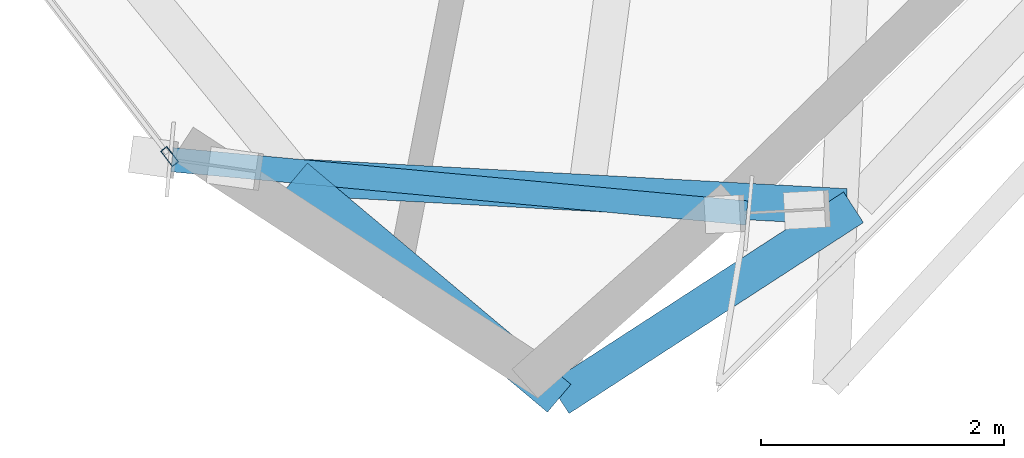
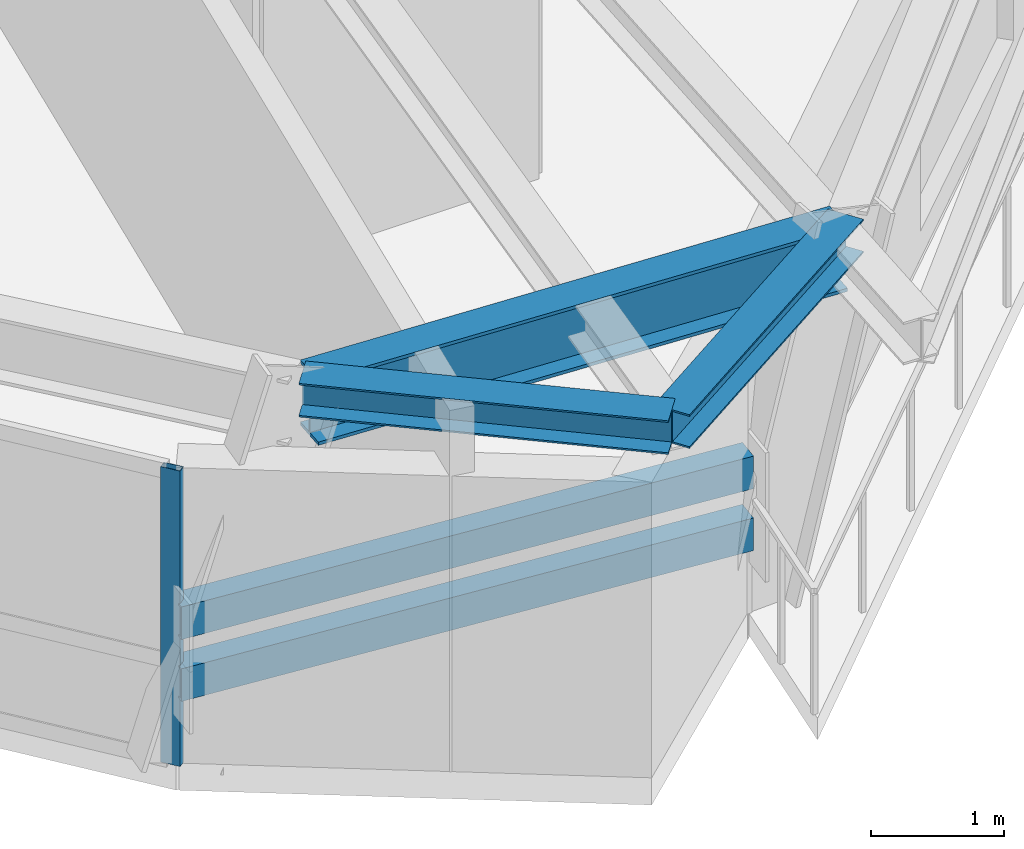
# One storey, part 4 of 15: 3 beams, 3 members, 1 element without a shape of its own.
"""IFC4 building model written with IfcOpenShell, lengths in metres."""

from ifc_helpers import new_model, si_unit, direction, frame, origin, origin_2d, place, context, subcontext, project, spatial, hollow_rectangle, i_section, extrude, source, transform, mapped, material, material_profile, profile_set, type_object, element, aggregate, save


model = new_model("IFC4")

# Units and contexts
model_context = context("Model", 3, precision=1e-05, world=origin(), true_north=direction((0.0, 1.0)))
body_context = subcontext(model_context, "Body", "Model", "MODEL_VIEW")
ifc_project = project(units=[si_unit("LENGTHUNIT", "METRE"), si_unit("AREAUNIT", "SQUARE_METRE"), si_unit("VOLUMEUNIT", "CUBIC_METRE"), si_unit("PLANEANGLEUNIT", "RADIAN"), si_unit("MASSUNIT", "GRAM", prefix="KILO")], contexts=[model_context])

# Site, building, storey
site_placement = place(None, origin())
site = spatial("IfcSite", under=ifc_project, at=site_placement, CompositionType="ELEMENT")
building_placement = place(site_placement, origin())
building = spatial("IfcBuilding", under=site, at=building_placement, Name="Olszyna Solenne Hotel", CompositionType="ELEMENT")
storey_placement = place(building_placement, frame((0.0, 0.0, 157.25)))
storey = spatial("IfcBuildingStorey", under=building, at=storey_placement, Name="L41", CompositionType="ELEMENT", Elevation=157.25)

# Members
ifc_material_1 = material(Name="Steel S355J2", Category="steel")
ifc_material_profile_1 = material_profile(ifc_material_1, hollow_rectangle(XDim=0.199951171875, YDim=0.300048828125, WallThickness=0.01611328125, at=origin_2d()), Name="RHS 300x200x16", Category="load-bearing")
ifc_profile_set_1 = profile_set([ifc_material_profile_1], Name="Steel S355J2")
member_type_1 = type_object("IfcMemberType", Name="CH-PR1", PredefinedType="CHORD", material=ifc_profile_set_1)
shared_shape_1 = source(origin(), body_context, "Body", "SweptSolid", [
    extrude(hollow_rectangle(XDim=0.199951171875, YDim=0.300048828125, WallThickness=0.01611328125, at=origin_2d()), origin(), (0.0, 0.0, 1.0), 4.75146484375),
])
for number, where, z_axis, x_axis, name in (
    (1, (31.36083984375, 2.763916015625, 1.35009765625), (0.995723447991, -0.092384063135, 0.0), (0.092384063135, 0.995723447991, 0.0), "Glass-prism tie chord CH-PR1 M-L41-PR1"),
    (2, (31.36083984375, 2.763916015625, 0.780029296875), (0.995723447991, -0.092384063135, 0.0), (0.092384063135, 0.995723447991, 0.0), "Glass-prism tie chord CH-PR1 M-L41-PR2"),
):
    element("IfcMember", number, at=place(storey_placement, frame(where, z_axis=z_axis, x_axis=x_axis)), inside=storey, type_object=member_type_1, Name=name, PredefinedType="CHORD", context=body_context, shape_type="MappedRepresentation", body=[
        mapped(shared_shape_1, transform((0.0, 0.0, 0.0), x_axis=(1.0, 0.0, 0.0), y_axis=(0.0, 1.0, 0.0), z_axis=(0.0, 0.0, 1.0), scale=1.0)),
    ])

# Beams
ifc_material_profile_2 = material_profile(ifc_material_1, i_section(OverallWidth=0.300048828125, OverallDepth=0.60009765625, WebThickness=0.015380859375, FlangeThickness=0.030029296875, at=origin_2d()), Name="HEB 600", Category="load-bearing")
ifc_profile_set_2 = profile_set([ifc_material_profile_2], Name="Steel S355J2")
beam_type_1 = type_object("IfcBeamType", Name="BM-S2", PredefinedType="BEAM", material=ifc_profile_set_2)
shared_shape_2 = source(origin(), body_context, "Body", "SweptSolid", [
    extrude(i_section(OverallWidth=0.300048828125, OverallDepth=0.60009765625, WebThickness=0.015380859375, FlangeThickness=0.030029296875, at=origin_2d()), origin(), (0.0, 0.0, 1.0), 4.477783203125),
])
beam_1_placement = place(storey_placement, frame((32.438720703125, 2.617919921875, 3.030029296875), z_axis=(0.99853328483, -0.054141288186, 0.0), x_axis=(0.054141288186, 0.99853328483, 0.0)))
element("IfcBeam", 3, at=beam_1_placement, inside=storey, type_object=beam_type_1, Name="Perimeter spandrel beam BM-S2 B-L41-1224", PredefinedType="BEAM", context=body_context, shape_type="MappedRepresentation", body=[
    mapped(shared_shape_2, transform((0.0, 0.0, 0.0), x_axis=(1.0, 0.0, 0.0), y_axis=(0.0, 1.0, 0.0), z_axis=(0.0, 0.0, 1.0), scale=1.0)),
])
ifc_material_profile_3 = material_profile(ifc_material_1, i_section(OverallWidth=0.300048828125, OverallDepth=0.31005859375, WebThickness=0.009033203125, FlangeThickness=0.015380859375, at=origin_2d()), Name="HEA 320", Category="load-bearing")
ifc_profile_set_3 = profile_set([ifc_material_profile_3], Name="Steel S355J2")
beam_type_2 = type_object("IfcBeamType", Name="BM-G3", PredefinedType="BEAM", material=ifc_profile_set_3)
shared_shape_3 = source(origin(), body_context, "Body", "SweptSolid", [
    extrude(i_section(OverallWidth=0.300048828125, OverallDepth=0.31005859375, WebThickness=0.009033203125, FlangeThickness=0.015380859375, at=origin_2d()), origin(), (0.0, 0.0, 1.0), 2.831787109375),
])
beam_2_placement = place(storey_placement, frame((32.378662109375, 2.62109375, 3.175048828125), z_axis=(0.765820340813, -0.643054589905, 0.0), x_axis=(0.643054589905, 0.765820340813, 0.0)))
element("IfcBeam", 4, at=beam_2_placement, inside=storey, type_object=beam_type_2, Name="Prism side edge beam BM-G3 B-L41-1237", PredefinedType="BEAM", context=body_context, shape_type="MappedRepresentation", body=[
    mapped(shared_shape_3, transform((0.0, 0.0, 0.0), x_axis=(1.0, 0.0, 0.0), y_axis=(0.0, 1.0, 0.0), z_axis=(0.0, 0.0, 1.0), scale=1.0)),
])
shared_shape_4 = source(origin(), body_context, "Body", "SweptSolid", [
    extrude(i_section(OverallWidth=0.300048828125, OverallDepth=0.31005859375, WebThickness=0.009033203125, FlangeThickness=0.015380859375, at=origin_2d()), origin(), (0.0, 0.0, 1.0), 2.88818359375),
])
beam_3_placement = place(storey_placement, frame((36.969970703125, 2.372314453125, 3.175048828125), z_axis=(-0.838827746365, -0.544396924981, 0.0), x_axis=(0.544396924981, -0.838827746365, 0.0)))
element("IfcBeam", 5, at=beam_3_placement, inside=storey, type_object=beam_type_2, Name="Prism side edge beam BM-G3 B-L41-1238", PredefinedType="BEAM", context=body_context, shape_type="MappedRepresentation", body=[
    mapped(shared_shape_4, transform((0.0, 0.0, 0.0), x_axis=(1.0, 0.0, 0.0), y_axis=(0.0, 1.0, 0.0), z_axis=(0.0, 0.0, 1.0), scale=1.0)),
])

# Curtain wall, member
ifc_material_2 = material(Name="Anodised bronze aluminium", Category="aluminium")
curtain_wall_type = type_object("IfcCurtainWallType", Name="CW-SYS-4", PredefinedType="NOTDEFINED", material=ifc_material_2)
curtain_wall_placement = place(storey_placement, origin())
curtain_wall = element("IfcCurtainWall", 6, at=curtain_wall_placement, inside=storey, type_object=curtain_wall_type, Name="Unitised curtain wall CW-SYS-4 CW-L41-01", PredefinedType="NOTDEFINED")
ifc_material_profile_4 = material_profile(ifc_material_2, hollow_rectangle(XDim=0.06494140625, YDim=0.159912109375, WallThickness=0.00390625, at=origin_2d()), Name="MULL 160x65x4", Category="load-bearing")
ifc_profile_set_4 = profile_set([ifc_material_profile_4], Name="Anodised bronze aluminium")
member_type_2 = type_object("IfcMemberType", Name="CW-M3", PredefinedType="MULLION", material=ifc_profile_set_4)
shared_shape_5 = source(origin(), body_context, "Body", "SweptSolid", [
    extrude(hollow_rectangle(XDim=0.06494140625, YDim=0.159912109375, WallThickness=0.00390625, at=origin_2d()), origin(), (0.0, 0.0, 1.0), 2.721923828125),
])
member_placement = place(storey_placement, frame((31.341064453125, 2.78955078125, 0.0), z_axis=(0.0, 0.0, 1.0), x_axis=(0.793149974067, 0.609026369411, 0.0)))
member = element("IfcMember", 7, at=member_placement, type_object=member_type_2, Name="Curtain-wall mullion CW-M3 CM-L41-01-04", PredefinedType="MULLION", context=body_context, shape_type="MappedRepresentation", body=[
    mapped(shared_shape_5, transform((0.0, 0.0, 0.0), x_axis=(1.0, 0.0, 0.0), y_axis=(0.0, 1.0, 0.0), z_axis=(0.0, 0.0, 1.0), scale=1.0)),
])
aggregate(curtain_wall, [member])

save(model, "model.ifc")
